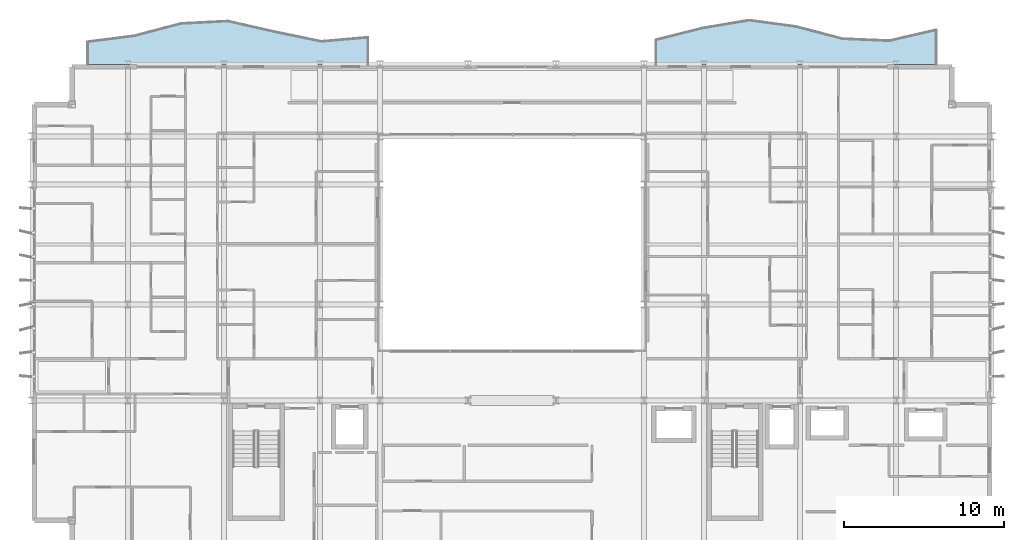
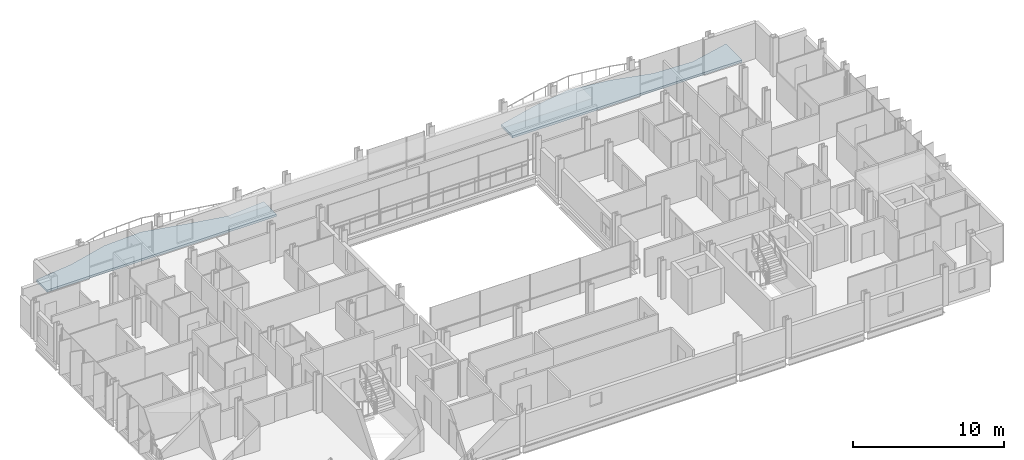
# One storey, part 25 of 39: 2 slabs.
"""IFC4 building model written with IfcOpenShell, lengths in metres."""

import ifcopenshell
import ifcopenshell.guid

model = None  # the IFC model being written
_history = None  # IfcOwnerHistory: only IFC2X3 demands one
_inside = {}  # id of a spatial element -> (the spatial element, [elements in it])
_under = {}  # id of a project, library or spatial element -> (it, [spatial elements below it])
_declared = {}  # id of a project -> (the project, [libraries it declares])
_typed = {}  # id of a type object -> (the type object, [elements of that type])
_made_of = {}  # id of a material, layer set ... -> (it, [elements and type objects made of it])


def new_model(schema):
    """Start an empty IFC model of exactly this schema.

    Asked for "IFC4X3", IfcOpenShell would pick the latest addendum, in which some entities
    have other attributes; the version numbers below select the first issue.
    IFC2X3 requires an IfcOwnerHistory on every rooted entity: one is made here for all.
    """
    global model, _history
    if schema == "IFC4X3":
        model = ifcopenshell.file(schema_version=(4, 3, 0, 0))
    else:
        model = ifcopenshell.file(schema=schema)
    _inside.clear()
    _under.clear()
    _declared.clear()
    _typed.clear()
    _made_of.clear()
    _history = None
    if model.schema == "IFC2X3":
        org = make("IfcOrganization", Name="unknown")
        user = make(
            "IfcPersonAndOrganization",
            ThePerson=make("IfcPerson", FamilyName="unknown"),
            TheOrganization=org,
        )
        app = make(
            "IfcApplication",
            ApplicationDeveloper=org,
            Version="unknown",
            ApplicationFullName="unknown",
            ApplicationIdentifier="unknown",
        )
        _history = make(
            "IfcOwnerHistory",
            OwningUser=user,
            OwningApplication=app,
            ChangeAction="ADDED",
            CreationDate=0,
        )
    return model


def make(cls, **values):
    """One entity of the class cls with the attributes given. An attribute that is None is left unset."""
    return model.create_entity(
        cls, **{name: value for name, value in values.items() if value is not None}
    )


def rooted(cls, **values):
    """An entity with a GlobalId (a new one), such as an element, a storey or a relation."""
    return make(cls, GlobalId=ifcopenshell.guid.new(), OwnerHistory=_history, **values)


def si_unit(unit_type, name, prefix=None):
    """IfcSIUnit, for example si_unit("LENGTHUNIT", "METRE", prefix="MILLI")."""
    return make("IfcSIUnit", UnitType=unit_type, Prefix=prefix, Name=name)


def assignment(units):
    """IfcUnitAssignment: the units of a project."""
    return None if units is None else make("IfcUnitAssignment", Units=units)


def point(xyz):
    """IfcCartesianPoint."""
    return None if xyz is None else make("IfcCartesianPoint", Coordinates=xyz)


def direction(xyz):
    """IfcDirection."""
    return None if xyz is None else make("IfcDirection", DirectionRatios=xyz)


def frame(location, z_axis=None, x_axis=None):
    """IfcAxis2Placement3D, a coordinate frame: its origin and axes. An axis left out is left unset."""
    return make(
        "IfcAxis2Placement3D",
        Location=point(location),
        Axis=direction(z_axis),
        RefDirection=direction(x_axis),
    )


def origin():
    """The frame at (0, 0, 0) with its axes left unset."""
    return frame((0.0, 0.0, 0.0))


def place(relative_to, where):
    """IfcLocalPlacement: puts the frame where relative to a parent placement (None: the world)."""
    return make(
        "IfcLocalPlacement", PlacementRelTo=relative_to, RelativePlacement=where
    )


def context(
    kind, dimensions, precision=None, world=None, true_north=None, identifier=None
):
    """IfcGeometricRepresentationContext, for example the 3D "Model" context."""
    return make(
        "IfcGeometricRepresentationContext",
        ContextIdentifier=identifier,
        ContextType=kind,
        CoordinateSpaceDimension=dimensions,
        Precision=precision,
        WorldCoordinateSystem=world,
        TrueNorth=true_north,
    )


def subcontext(parent, identifier, kind, view, scale=None):
    """IfcGeometricRepresentationSubContext, for example "Body" below "Model"."""
    return make(
        "IfcGeometricRepresentationSubContext",
        ContextIdentifier=identifier,
        ContextType=kind,
        ParentContext=parent,
        TargetScale=scale,
        TargetView=view,
    )


def project(units=None, contexts=None):
    """IfcProject with its units and contexts."""
    return rooted(
        "IfcProject",
        Name="project",
        RepresentationContexts=contexts,
        UnitsInContext=assignment(units),
    )


def spatial(cls, under=None, at=None, **own):
    """A site, building, storey or space (cls), placed at a placement, below another one or the project."""
    s = rooted(cls, ObjectPlacement=at, **own)
    if under is not None:
        _under.setdefault(under.id(), (under, []))[1].append(s)
    return s


def polyline(points):
    """IfcPolyline through the points."""
    return make("IfcPolyline", Points=[point(p) for p in points])


def outline(outer, holes=None, kind="AREA"):
    """IfcArbitraryClosedProfileDef: a profile drawn as a closed curve; with holes, ...WithVoids."""
    if holes is None:
        return make("IfcArbitraryClosedProfileDef", ProfileType=kind, OuterCurve=outer)
    return make(
        "IfcArbitraryProfileDefWithVoids",
        ProfileType=kind,
        OuterCurve=outer,
        InnerCurves=holes,
    )


def extrude(swept, where, along, depth):
    """IfcExtrudedAreaSolid: the profile swept, set in the frame where, extruded along a direction by depth."""
    return make(
        "IfcExtrudedAreaSolid",
        SweptArea=swept,
        Position=where,
        ExtrudedDirection=direction(along),
        Depth=depth,
    )


def shape(context_of_items, identifier, shape_type, items):
    """IfcShapeRepresentation: the items that make up one representation, for example the "Body"."""
    return make(
        "IfcShapeRepresentation",
        ContextOfItems=context_of_items,
        RepresentationIdentifier=identifier,
        RepresentationType=shape_type,
        Items=items,
    )


def material(Name=None, Category=None):
    """IfcMaterial."""
    return make("IfcMaterial", Name=Name, Category=Category)


def layer(
    of_material, thickness, ventilated=None, Name=None, Category=None, Priority=None
):
    """IfcMaterialLayer: one layer of a wall or slab, of a material (None: an air gap)."""
    return make(
        "IfcMaterialLayer",
        Material=of_material,
        LayerThickness=thickness,
        IsVentilated=ventilated,
        Name=Name,
        Category=Category,
        Priority=Priority,
    )


def layer_set(layers, Name=None):
    """IfcMaterialLayerSet."""
    return make("IfcMaterialLayerSet", MaterialLayers=layers, LayerSetName=Name)


def made_of(thing, what):
    """Note that an element or type object is made of a material, layer set ...; save() writes the relation."""
    if what is not None:
        _made_of.setdefault(what.id(), (what, []))[1].append(thing)
    return thing


def type_object(cls, material=None, **own):
    """A type object (cls), such as IfcWallType, which elements share."""
    return made_of(rooted(cls, **own), material)


def element(
    cls,
    number,
    at=None,
    inside=None,
    cuts=None,
    type_object=None,
    material=None,
    context=None,
    identifier="Body",
    shape_type=None,
    held_by="IfcProductDefinitionShape",
    body=None,
    shapes=None,
    **own,
):
    """One element of the class cls, such as IfcWall. Its Tag is "e" and its number.

    at: its placement. inside: the storey or other place that contains it. cuts: it is an
    opening in that element (IfcRelVoidsElement). A single representation is given by context,
    identifier, shape_type and body (its items); several are given by shapes. held_by: the class
    of the entity that holds the representations. save() writes the other relations.
    """
    e = rooted(cls, Tag="e%d" % number, ObjectPlacement=at, **own)
    if body is not None:
        shapes = [shape(context, identifier, shape_type, body)]
    if shapes is not None:
        e.Representation = make(held_by, Representations=shapes)
    if inside is not None:
        _inside.setdefault(inside.id(), (inside, []))[1].append(e)
    if cuts is not None:
        rooted(
            "IfcRelVoidsElement", RelatingBuildingElement=cuts, RelatedOpeningElement=e
        )
    if type_object is not None:
        _typed.setdefault(type_object.id(), (type_object, []))[1].append(e)
    return made_of(e, material)


def aggregate(whole, parts):
    """IfcRelAggregates: a whole, such as a stair, and the parts it consists of."""
    return rooted("IfcRelAggregates", RelatingObject=whole, RelatedObjects=parts)


def save(model, path):
    """Write the relations noted so far, then the file.

    IfcRelAggregates (storeys below a building ...), IfcRelContainedInSpatialStructure (elements
    in a storey), IfcRelDefinesByType, IfcRelAssociatesMaterial and IfcRelDeclares: one each for
    every whole, place, type object, material and project.
    """
    for whole, parts in _under.values():
        aggregate(whole, parts)
    for where, things in _inside.values():
        rooted(
            "IfcRelContainedInSpatialStructure",
            RelatedElements=things,
            RelatingStructure=where,
        )
    for kind, things in _typed.values():
        rooted("IfcRelDefinesByType", RelatedObjects=things, RelatingType=kind)
    for what, things in _made_of.values():
        rooted("IfcRelAssociatesMaterial", RelatedObjects=things, RelatingMaterial=what)
    for by, libraries in _declared.values():
        rooted("IfcRelDeclares", RelatingContext=by, RelatedDefinitions=libraries)
    model.write(path)


model = new_model("IFC4")

# Units and contexts
model_context = context("Model", 3, precision=1e-05, world=origin(), true_north=direction((0.0, 1.0)))
body_context = subcontext(model_context, "Body", "Model", "MODEL_VIEW")
ifc_project = project(units=[si_unit("LENGTHUNIT", "METRE"), si_unit("AREAUNIT", "SQUARE_METRE"), si_unit("VOLUMEUNIT", "CUBIC_METRE"), si_unit("PLANEANGLEUNIT", "RADIAN"), si_unit("MASSUNIT", "GRAM", prefix="KILO")], contexts=[model_context])

# Site, building, storey
site_placement = place(None, origin())
site = spatial("IfcSite", under=ifc_project, at=site_placement, CompositionType="ELEMENT")
building_placement = place(site_placement, origin())
building = spatial("IfcBuilding", under=site, at=building_placement, Name="Brevholm Reach", CompositionType="ELEMENT")
storey_placement = place(building_placement, frame((0.0, 0.0, 90.0)))
storey = spatial("IfcBuildingStorey", under=building, at=storey_placement, Name="L26", CompositionType="ELEMENT", Elevation=90.0)

# Slabs
ifc_material = material(Name="Precast Concrete C40/50", Category="concrete")
ifc_layer = layer(ifc_material, 0.179931640625)
ifc_layer_set = layer_set([ifc_layer], Name="Precast Concrete C40/50")
slab_type = type_object("IfcSlabType", Name="SLB-BAL-180", PredefinedType="FLOOR", material=ifc_layer_set)
slab_1_placement = place(storey_placement, frame((0.0, 0.0, -0.179931640625)))
element("IfcSlab", 1, at=slab_1_placement, inside=storey, type_object=slab_type, Name="L26 Rippling External Balcony NE", PredefinedType="FLOOR", context=body_context, shape_type="SweptSolid", body=[
    extrude(outline(polyline([(39.0, 31.0), (56.5, 31.0), (56.5, 33.1455078125), (53.583251953125, 32.46826171875), (50.666748046875, 32.58935546875), (47.75, 33.349609375), (44.833251953125, 33.748291015625), (41.916748046875, 33.260986328125), (39.0, 32.52880859375), (39.0, 31.0)])), origin(), (0.0, 0.0, 1.0), 0.179931640625),
])
slab_2_placement = place(storey_placement, frame((0.0, 0.0, -0.179931640625)))
element("IfcSlab", 2, at=slab_2_placement, inside=storey, type_object=slab_type, Name="L26 Rippling External Balcony NW", PredefinedType="FLOOR", context=body_context, shape_type="SweptSolid", body=[
    extrude(outline(polyline([(3.5, 31.0), (21.0, 31.0), (21.0, 32.67822265625), (18.083251953125, 32.426025390625), (15.166748046875, 33.02783203125), (12.25, 33.691650390625), (9.333251953125, 33.5439453125), (6.416748046875, 32.779052734375), (3.5, 32.40380859375), (3.5, 31.0)])), origin(), (0.0, 0.0, 1.0), 0.179931640625),
])

save(model, "model.ifc")
